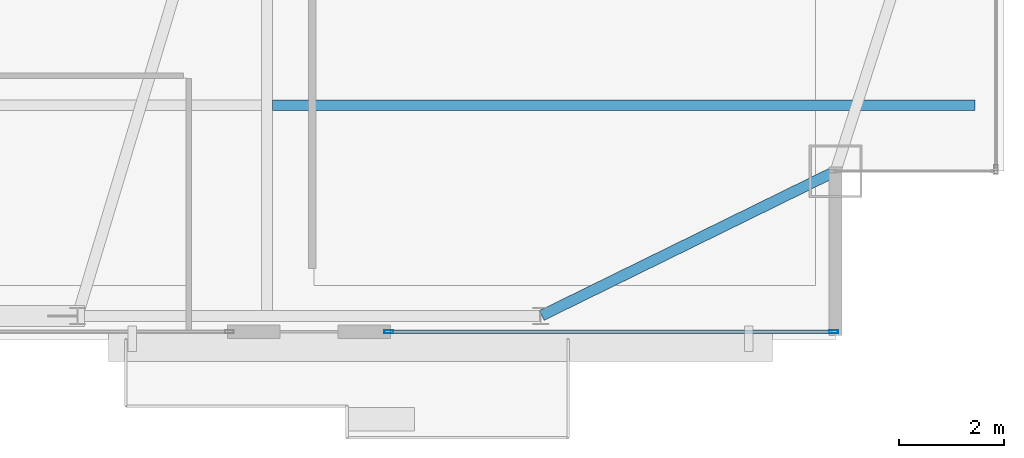
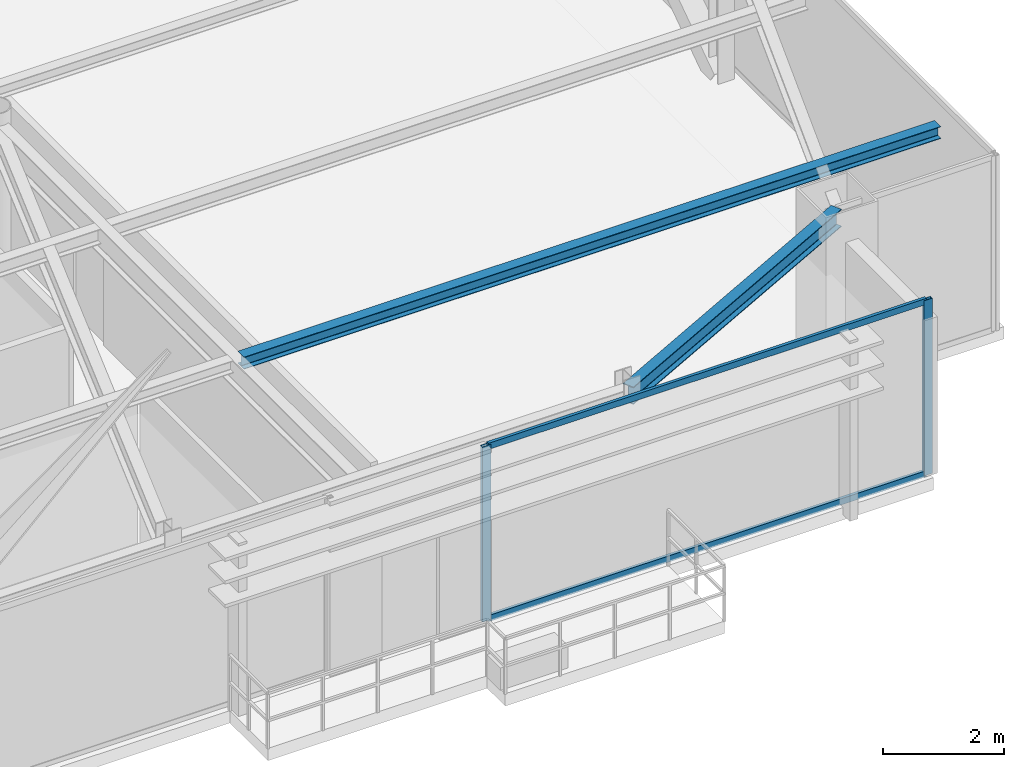
# One storey, part 11 of 25: 4 members, 2 beams, 1 element without a shape of its own.
"""IFC4 building model written with IfcOpenShell, lengths in metres."""

from ifc_helpers import new_model, si_unit, direction, frame, origin, origin_2d, place, context, subcontext, project, spatial, hollow_rectangle, i_section, extrude, source, transform, mapped, material, layer, layer_set, material_profile, profile_set, type_object, type_shapes, element, aggregate, save


model = new_model("IFC4")

# Units and contexts
model_context = context("Model", 3, precision=1e-05, world=origin(), true_north=direction((0.0, 1.0)))
body_context = subcontext(model_context, "Body", "Model", "MODEL_VIEW")
ifc_project = project(units=[si_unit("LENGTHUNIT", "METRE"), si_unit("AREAUNIT", "SQUARE_METRE"), si_unit("VOLUMEUNIT", "CUBIC_METRE"), si_unit("PLANEANGLEUNIT", "RADIAN"), si_unit("MASSUNIT", "GRAM", prefix="KILO")], contexts=[model_context])

# Site, building, storey
site_placement = place(None, origin())
site = spatial("IfcSite", under=ifc_project, at=site_placement, CompositionType="ELEMENT")
building_placement = place(site_placement, origin())
building = spatial("IfcBuilding", under=site, at=building_placement, Name="Varnel Quay Broadcast Tower", CompositionType="ELEMENT")
storey_placement = place(building_placement, frame((0.0, 0.0, 288.800048828125)))
storey = spatial("IfcBuildingStorey", under=building, at=storey_placement, Name="L72", CompositionType="ELEMENT", Elevation=288.800048828125)

# Beams
ifc_material_1 = material(Name="Structural Steel CSA G40.21 350W", Category="steel")
ifc_material_profile_1 = material_profile(ifc_material_1, i_section(OverallWidth=0.205078125, OverallDepth=0.35400390625, WebThickness=0.009521484375, FlangeThickness=0.016845703125, FilletRadius=0.012939453125, at=origin_2d()), Name="W360X79")
ifc_profile_set_1 = profile_set([ifc_material_profile_1], Name="Structural Steel CSA G40.21 350W")
beam_type_1 = type_object("IfcBeamType", Name="Beam_W360X79", PredefinedType="SPANDREL", material=ifc_profile_set_1)
shared_shape_1 = source(origin(), body_context, "Body", "SweptSolid", [
    extrude(i_section(OverallWidth=0.205078125, OverallDepth=0.35400390625, WebThickness=0.009521484375, FlangeThickness=0.016845703125, FilletRadius=0.012939453125, at=origin_2d()), origin(), (0.0, 0.0, 1.0), 6.19873046875),
])
type_shapes(beam_type_1, [shared_shape_1])
beam_1_placement = place(storey_placement, frame((47.218017578125, 13.65869140625, 3.373046875), z_axis=(0.897602447358, 0.440805905697, 0.0), x_axis=(-0.440805905697, 0.897602447358, 0.0)))
element("IfcBeam", 1, at=beam_1_placement, inside=storey, type_object=beam_type_1, Name="L72 South Spandrel TC-S4-MC-SE", PredefinedType="SPANDREL", context=body_context, shape_type="MappedRepresentation", body=[
    mapped(shared_shape_1, transform((0.0, 0.0, 0.0), x_axis=(1.0, 0.0, 0.0), y_axis=(0.0, 1.0, 0.0), z_axis=(0.0, 0.0, 1.0), scale=1.0)),
])
ifc_material_profile_2 = material_profile(ifc_material_1, i_section(OverallWidth=0.201904296875, OverallDepth=0.2470703125, WebThickness=0.00732421875, FlangeThickness=0.010986328125, FilletRadius=0.010986328125, at=origin_2d()), Name="W250X49")
ifc_profile_set_2 = profile_set([ifc_material_profile_2], Name="Structural Steel CSA G40.21 350W")
beam_type_2 = type_object("IfcBeamType", Name="Beam_W250X49", PredefinedType="JOIST", material=ifc_profile_set_2)
shared_shape_2 = source(origin(), body_context, "Body", "SweptSolid", [
    extrude(i_section(OverallWidth=0.201904296875, OverallDepth=0.2470703125, WebThickness=0.00732421875, FlangeThickness=0.010986328125, FilletRadius=0.010986328125, at=origin_2d()), origin(), (0.0, 0.0, 1.0), 13.351318359375),
])
type_shapes(beam_type_2, [shared_shape_2])
beam_2_placement = place(storey_placement, frame((42.10107421875, 17.64990234375, 3.426513671875), z_axis=(1.0, 0.0, 0.0), x_axis=(0.0, 1.0, 0.0)))
element("IfcBeam", 2, at=beam_2_placement, inside=storey, type_object=beam_type_2, Name="L72 East Floor Joist 1", PredefinedType="JOIST", context=body_context, shape_type="MappedRepresentation", body=[
    mapped(shared_shape_2, transform((0.0, 0.0, 0.0), x_axis=(1.0, 0.0, 0.0), y_axis=(0.0, 1.0, 0.0), z_axis=(0.0, 0.0, 1.0), scale=1.0)),
])

# Curtain wall, members
ifc_material_2 = material(Name="Anodised Bronze Aluminium 6063-T6", Category="aluminium")
ifc_layer = layer(ifc_material_2, 0.18994140625, Name="Anodised Bronze Aluminium 6063-T6")
ifc_layer_set = layer_set([ifc_layer], Name="Anodised Bronze Aluminium 6063-T6")
curtain_wall_type = type_object("IfcCurtainWallType", Name="CW_UpperTower", PredefinedType="NOTDEFINED", material=ifc_layer_set)
curtain_wall_placement = place(storey_placement, origin())
curtain_wall = element("IfcCurtainWall", 3, at=curtain_wall_placement, inside=storey, type_object=curtain_wall_type, Name="L72 South Unitised Curtain Wall 3", PredefinedType="NOTDEFINED")
ifc_material_profile_3 = material_profile(ifc_material_2, hollow_rectangle(XDim=0.06494140625, YDim=0.1650390625, WallThickness=0.00341796875, at=origin_2d()), Name="ALU65X165X3.5")
ifc_profile_set_3 = profile_set([ifc_material_profile_3], Name="Anodised Bronze Aluminium 6063-T6")
member_type_1 = type_object("IfcMemberType", Name="Mull_CWS-03", PredefinedType="MULLION", material=ifc_profile_set_3)
shared_shape_3 = source(origin(), body_context, "Body", "SweptSolid", [
    extrude(hollow_rectangle(XDim=0.06494140625, YDim=0.1650390625, WallThickness=0.00341796875, at=origin_2d()), origin(), (0.0, 0.0, 1.0), 3.550048828125),
])
type_shapes(member_type_1, [shared_shape_3])
member_1_placement = place(storey_placement, frame((44.3125, 13.35009765625, 0.0), z_axis=(0.0, 0.0, 1.0), x_axis=(0.0, 1.0, 0.0)))
member_1 = element("IfcMember", 4, at=member_1_placement, type_object=member_type_1, Name="CWS-03 mullion 1", PredefinedType="MULLION", context=body_context, shape_type="MappedRepresentation", body=[
    mapped(shared_shape_3, transform((0.0, 0.0, 0.0), x_axis=(1.0, 0.0, 0.0), y_axis=(0.0, 1.0, 0.0), z_axis=(0.0, 0.0, 1.0), scale=1.0)),
])
member_2_placement = place(storey_placement, frame((52.767578125, 13.35009765625, 0.0), z_axis=(0.0, 0.0, 1.0), x_axis=(0.0, 1.0, 0.0)))
member_2 = element("IfcMember", 5, at=member_2_placement, type_object=member_type_1, Name="CWS-03 mullion 2", PredefinedType="MULLION", context=body_context, shape_type="MappedRepresentation", body=[
    mapped(shared_shape_3, transform((0.0, 0.0, 0.0), x_axis=(1.0, 0.0, 0.0), y_axis=(0.0, 1.0, 0.0), z_axis=(0.0, 0.0, 1.0), scale=1.0)),
])
ifc_material_profile_4 = material_profile(ifc_material_2, hollow_rectangle(XDim=0.06005859375, YDim=0.125, WallThickness=0.0029296875, at=origin_2d()), Name="ALU60X125X3")
ifc_profile_set_4 = profile_set([ifc_material_profile_4], Name="Anodised Bronze Aluminium 6063-T6")
member_type_2 = type_object("IfcMemberType", Name="Tran_CWS-03", PredefinedType="USERDEFINED", material=ifc_profile_set_4)
shared_shape_4 = source(origin(), body_context, "Body", "SweptSolid", [
    extrude(hollow_rectangle(XDim=0.06005859375, YDim=0.125, WallThickness=0.0029296875, at=origin_2d()), origin(), (0.0, 0.0, 1.0), 8.39013671875),
])
type_shapes(member_type_2, [shared_shape_4])
member_3_placement = place(storey_placement, frame((44.344970703125, 13.35009765625, 0.030029296875), z_axis=(1.0, 0.0, 0.0), x_axis=(0.0, 1.0, 0.0)))
member_3 = element("IfcMember", 6, at=member_3_placement, type_object=member_type_2, Name="CWS-03 transom 1.1", ObjectType="TRANSOM", PredefinedType="USERDEFINED", context=body_context, shape_type="MappedRepresentation", body=[
    mapped(shared_shape_4, transform((0.0, 0.0, 0.0), x_axis=(1.0, 0.0, 0.0), y_axis=(0.0, 1.0, 0.0), z_axis=(0.0, 0.0, 1.0), scale=1.0)),
])
member_4_placement = place(storey_placement, frame((44.344970703125, 13.35009765625, 3.52001953125), z_axis=(1.0, 0.0, 0.0), x_axis=(0.0, 1.0, 0.0)))
member_4 = element("IfcMember", 7, at=member_4_placement, type_object=member_type_2, Name="CWS-03 transom 1.2", ObjectType="TRANSOM", PredefinedType="USERDEFINED", context=body_context, shape_type="MappedRepresentation", body=[
    mapped(shared_shape_4, transform((0.0, 0.0, 0.0), x_axis=(1.0, 0.0, 0.0), y_axis=(0.0, 1.0, 0.0), z_axis=(0.0, 0.0, 1.0), scale=1.0)),
])
aggregate(curtain_wall, [member_1, member_2, member_3, member_4])

save(model, "model.ifc")
